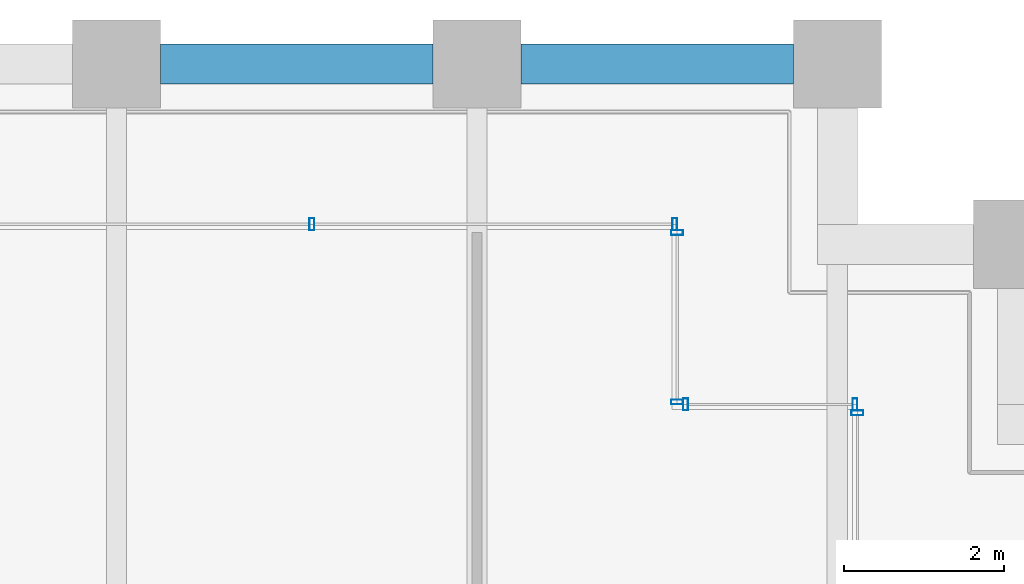
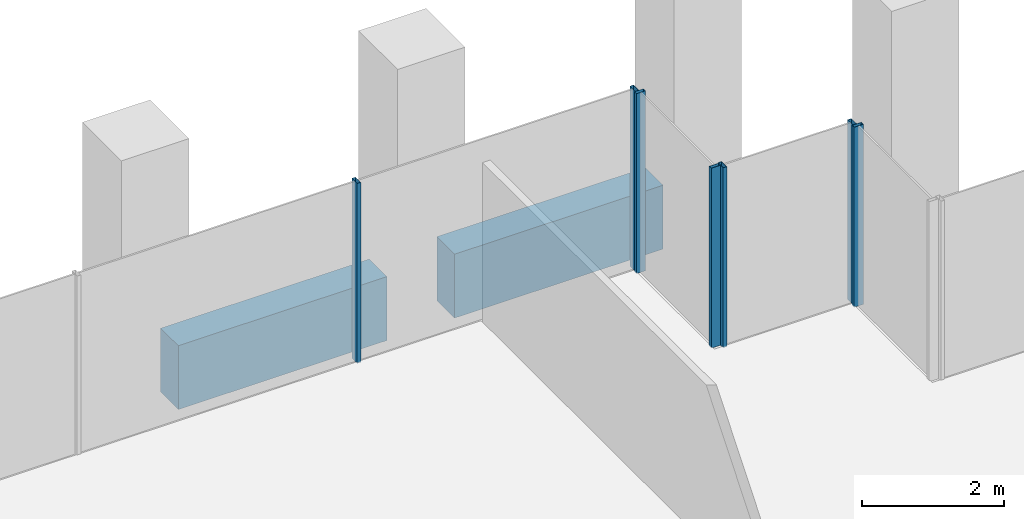
# One storey, part 32 of 54: 7 members, 2 beams, 4 elements without a shape of their own.
"""IFC4 building model written with IfcOpenShell, lengths in metres."""

from ifc_helpers import new_model, si_unit, direction, frame, origin, origin_2d, place, context, subcontext, project, spatial, rectangle, hollow_rectangle, extrude, material, material_profile, profile_set, type_object, element, aggregate, save


model = new_model("IFC4")

# Units and contexts
model_context = context("Model", 3, precision=1e-05, world=origin(), true_north=direction((0.0, 1.0)))
body_context = subcontext(model_context, "Body", "Model", "MODEL_VIEW")
ifc_project = project(units=[si_unit("LENGTHUNIT", "METRE"), si_unit("AREAUNIT", "SQUARE_METRE"), si_unit("VOLUMEUNIT", "CUBIC_METRE"), si_unit("PLANEANGLEUNIT", "RADIAN"), si_unit("MASSUNIT", "GRAM", prefix="KILO")], contexts=[model_context])

# Site, building, storey
site_placement = place(None, origin())
site = spatial("IfcSite", under=ifc_project, at=site_placement, CompositionType="ELEMENT")
building_placement = place(site_placement, origin())
building = spatial("IfcBuilding", under=site, at=building_placement, Name="Altepetl Exchange Towers", CompositionType="ELEMENT")
storey_placement = place(building_placement, frame((0.0, 0.0, 58.199951171875)))
storey = spatial("IfcBuildingStorey", under=building, at=storey_placement, Name="L13", CompositionType="ELEMENT", Elevation=58.199951171875)

# Curtain wall, member
ifc_material_1 = material(Name="Aluminium 6063-T6 glazing", Category="aluminium")
curtain_wall_type = type_object("IfcCurtainWallType", Name="Loggia glazing system", PredefinedType="NOTDEFINED", material=ifc_material_1)
curtain_wall_1_placement = place(storey_placement, origin())
curtain_wall_1 = element("IfcCurtainWall", 1, at=curtain_wall_1_placement, inside=storey, type_object=curtain_wall_type, Name="CW1 run", PredefinedType="NOTDEFINED")
ifc_material_2 = material(Name="Aluminium 6063-T6", Category="aluminium")
ifc_material_profile_1 = material_profile(ifc_material_2, hollow_rectangle(XDim=0.06005859375, YDim=0.14990234375, WallThickness=0.0029296875, at=origin_2d()), Name="Mullion 60x150 aluminium")
ifc_profile_set_1 = profile_set([ifc_material_profile_1], Name="Aluminium 6063-T6")
member_type = type_object("IfcMemberType", Name="Mullion 60x150 aluminium", PredefinedType="MULLION", material=ifc_profile_set_1)
member_1_placement = place(storey_placement, frame((67.75, 67.64501953125, 0.0), z_axis=(0.0, 0.0, 1.0), x_axis=(0.0, 1.0, 0.0)))
member_1 = element("IfcMember", 2, at=member_1_placement, type_object=member_type, Name="MU1 mullion", PredefinedType="MULLION", context=body_context, shape_type="SweptSolid", body=[
    extrude(hollow_rectangle(XDim=0.06005859375, YDim=0.14990234375, WallThickness=0.0029296875, at=origin_2d()), origin(), (0.0, 0.0, 1.0), 3.10009765625),
])
aggregate(curtain_wall_1, [member_1])

# Curtain wall, members
curtain_wall_2_placement = place(storey_placement, origin())
curtain_wall_2 = element("IfcCurtainWall", 3, at=curtain_wall_2_placement, inside=storey, type_object=curtain_wall_type, Name="CW1 run", PredefinedType="NOTDEFINED")
member_2_placement = place(storey_placement, frame((67.719970703125, 67.75, 0.0), z_axis=(0.0, 0.0, 1.0), x_axis=(-1.0, 0.0, 0.0)))
member_2 = element("IfcMember", 4, at=member_2_placement, type_object=member_type, Name="MU1 mullion", PredefinedType="MULLION", context=body_context, shape_type="SweptSolid", body=[
    extrude(hollow_rectangle(XDim=0.06005859375, YDim=0.14990234375, WallThickness=0.0029296875, at=origin_2d()), origin(), (0.0, 0.0, 1.0), 3.10009765625),
])
member_3_placement = place(storey_placement, frame((65.60498046875, 67.75, 0.0), z_axis=(0.0, 0.0, 1.0), x_axis=(-1.0, 0.0, 0.0)))
member_3 = element("IfcMember", 5, at=member_3_placement, type_object=member_type, Name="MU1 mullion", PredefinedType="MULLION", context=body_context, shape_type="SweptSolid", body=[
    extrude(hollow_rectangle(XDim=0.06005859375, YDim=0.14990234375, WallThickness=0.0029296875, at=origin_2d()), origin(), (0.0, 0.0, 1.0), 3.10009765625),
])
aggregate(curtain_wall_2, [member_2, member_3])

curtain_wall_3_placement = place(storey_placement, origin())
curtain_wall_3 = element("IfcCurtainWall", 6, at=curtain_wall_3_placement, inside=storey, type_object=curtain_wall_type, Name="CW1 run", PredefinedType="NOTDEFINED")
member_4_placement = place(storey_placement, frame((65.5, 67.780029296875, 0.0), z_axis=(0.0, 0.0, 1.0), x_axis=(0.0, 1.0, 0.0)))
member_4 = element("IfcMember", 7, at=member_4_placement, type_object=member_type, Name="MU1 mullion", PredefinedType="MULLION", context=body_context, shape_type="SweptSolid", body=[
    extrude(hollow_rectangle(XDim=0.06005859375, YDim=0.14990234375, WallThickness=0.0029296875, at=origin_2d()), origin(), (0.0, 0.0, 1.0), 3.10009765625),
])
member_5_placement = place(storey_placement, frame((65.5, 69.89501953125, 0.0), z_axis=(0.0, 0.0, 1.0), x_axis=(0.0, 1.0, 0.0)))
member_5 = element("IfcMember", 8, at=member_5_placement, type_object=member_type, Name="MU1 mullion", PredefinedType="MULLION", context=body_context, shape_type="SweptSolid", body=[
    extrude(hollow_rectangle(XDim=0.06005859375, YDim=0.14990234375, WallThickness=0.0029296875, at=origin_2d()), origin(), (0.0, 0.0, 1.0), 3.10009765625),
])
aggregate(curtain_wall_3, [member_4, member_5])

curtain_wall_4_placement = place(storey_placement, origin())
curtain_wall_4 = element("IfcCurtainWall", 9, at=curtain_wall_4_placement, inside=storey, type_object=curtain_wall_type, Name="CW1 run", PredefinedType="NOTDEFINED")
member_6_placement = place(storey_placement, frame((65.469970703125, 70.0, 0.0), z_axis=(0.0, 0.0, 1.0), x_axis=(-1.0, 0.0, 0.0)))
member_6 = element("IfcMember", 10, at=member_6_placement, type_object=member_type, Name="MU1 mullion", PredefinedType="MULLION", context=body_context, shape_type="SweptSolid", body=[
    extrude(hollow_rectangle(XDim=0.06005859375, YDim=0.14990234375, WallThickness=0.0029296875, at=origin_2d()), origin(), (0.0, 0.0, 1.0), 3.10009765625),
])
member_7_placement = place(storey_placement, frame((60.939208984375, 70.0, 0.0), z_axis=(0.0, 0.0, 1.0), x_axis=(-1.0, 0.0, 0.0)))
member_7 = element("IfcMember", 11, at=member_7_placement, type_object=member_type, Name="MU1 mullion", PredefinedType="MULLION", context=body_context, shape_type="SweptSolid", body=[
    extrude(hollow_rectangle(XDim=0.06005859375, YDim=0.14990234375, WallThickness=0.0029296875, at=origin_2d()), origin(), (0.0, 0.0, 1.0), 3.10009765625),
])
aggregate(curtain_wall_4, [member_6, member_7])

# Beams
ifc_material_3 = material(Name="Concrete C50/60 precast with cantera rosa facing", Category="concrete")
ifc_material_profile_2 = material_profile(ifc_material_3, rectangle(XDim=0.5, YDim=1.10009765625, at=origin_2d()), Name="500 x 1100")
ifc_profile_set_2 = profile_set([ifc_material_profile_2], Name="Concrete C50/60 precast with cantera rosa facing")
beam_type = type_object("IfcBeamType", Name="Spandrel beam 500x1100 cantera rosa", PredefinedType="SPANDREL", material=ifc_profile_set_2)
for number, where, z_axis, x_axis, name in (
    (12, (66.949951171875, 72.0, -0.699951171875), (-1.0, 0.0, 0.0), (0.0, -1.0, 0.0), "sp:A:L13:024"),
    (13, (62.449951171875, 72.0, -0.699951171875), (-1.0, 0.0, 0.0), (0.0, -1.0, 0.0), "sp:A:L13:025"),
):
    element("IfcBeam", number, at=place(storey_placement, frame(where, z_axis=z_axis, x_axis=x_axis)), inside=storey, type_object=beam_type, Name=name, PredefinedType="SPANDREL", context=body_context, shape_type="SweptSolid", body=[
        extrude(rectangle(XDim=0.5, YDim=1.10009765625, at=origin_2d()), origin(), (0.0, 0.0, 1.0), 3.39990234375),
    ])

save(model, "model.ifc")
